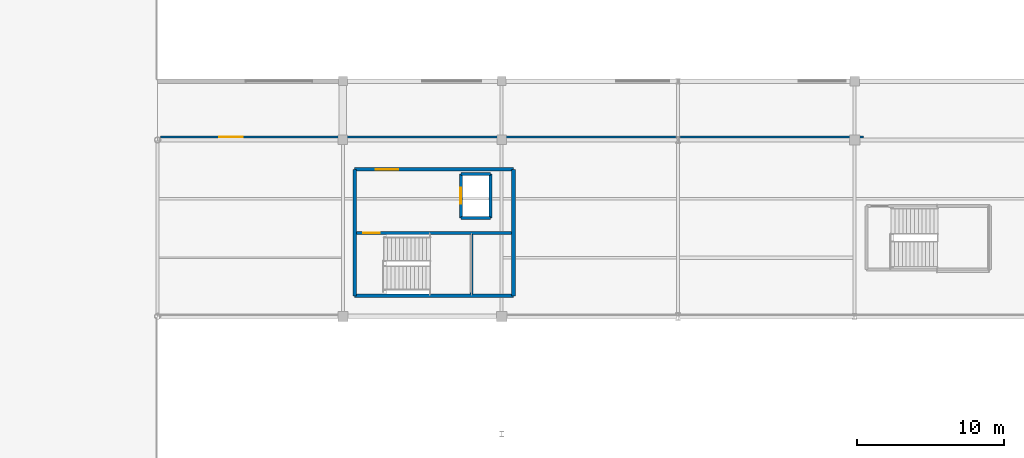
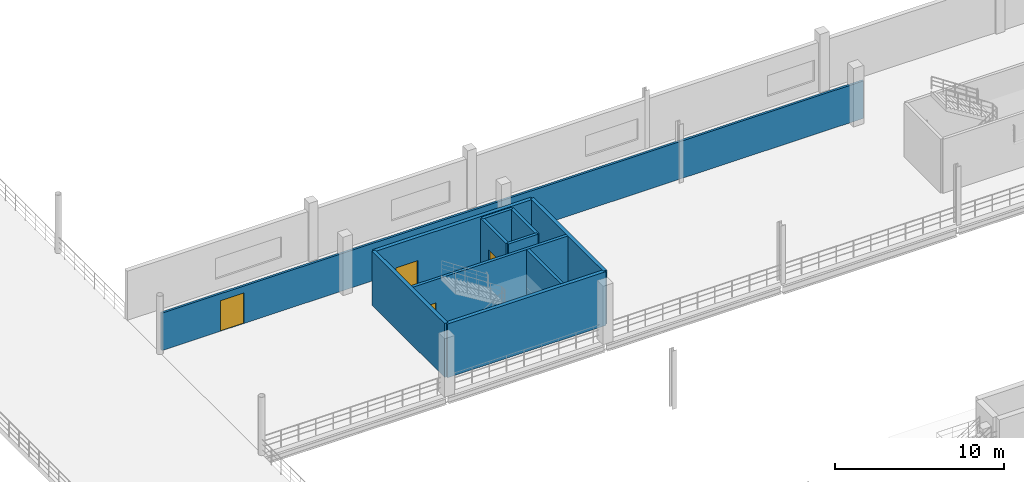
# One storey, part 65 of 89: 11 walls, 4 doors, 4 openings.
"""IFC4 building model written with IfcOpenShell, lengths in metres."""

from ifc_helpers import new_model, si_unit, direction, frame, frame_2d, origin, place, context, subcontext, project, spatial, rectangle, extrude, material, layer, layer_set, type_object, element, fill, save


model = new_model("IFC4")

# Units and contexts
model_context = context("Model", 3, precision=1e-05, world=origin(), true_north=direction((0.0, 1.0)))
body_context = subcontext(model_context, "Body", "Model", "MODEL_VIEW")
ifc_project = project(units=[si_unit("LENGTHUNIT", "METRE"), si_unit("AREAUNIT", "SQUARE_METRE"), si_unit("VOLUMEUNIT", "CUBIC_METRE"), si_unit("PLANEANGLEUNIT", "RADIAN"), si_unit("MASSUNIT", "GRAM", prefix="KILO"), si_unit("THERMODYNAMICTEMPERATUREUNIT", "KELVIN"), si_unit("POWERUNIT", "WATT")], contexts=[model_context])

# Site, building, storey
site_placement = place(None, origin())
site = spatial("IfcSite", under=ifc_project, at=site_placement, CompositionType="ELEMENT")
building_placement = place(site_placement, origin())
building = spatial("IfcBuilding", under=site, at=building_placement, Name="Solmara Park Aquatics Centre", CompositionType="ELEMENT")
storey_placement = place(building_placement, frame((0.0, 0.0, 5.39990234375)))
storey = spatial("IfcBuildingStorey", under=building, at=storey_placement, Name="L01", CompositionType="ELEMENT", Elevation=5.39990234375)

# Wall
ifc_material_1 = material(Name="Concrete C40/50", Category="concrete")
ifc_layer_1 = layer(ifc_material_1, 0.25, Name="Concrete C40/50")
ifc_layer_set_1 = layer_set([ifc_layer_1], Name="Concrete C40/50")
wall_type_1 = type_object("IfcWallType", Name="ARC-WL-CORE250", PredefinedType="SHEAR", material=ifc_layer_set_1)
wall_1_placement = place(storey_placement, frame((110.0, 38.0, 0.0), z_axis=(0.0, 0.0, 1.0), x_axis=(1.0, 0.0, 0.0)))
element("IfcWall", 1, at=wall_1_placement, inside=storey, type_object=wall_type_1, Name="CORE-3 Core Wall S L01", PredefinedType="SHEAR", context=body_context, shape_type="SweptSolid", body=[
    extrude(rectangle(XDim=10.800048828125, YDim=0.25, at=frame_2d((5.39990234375, 0.0))), origin(), (0.0, 0.0, 1.0), 3.880126953125),
])

# Wall, opening, door
wall_2_placement = place(storey_placement, frame((110.0, 46.60009765625, 0.0), z_axis=(0.0, 0.0, 1.0), x_axis=(1.0, 0.0, 0.0)))
wall_2 = element("IfcWall", 2, at=wall_2_placement, inside=storey, type_object=wall_type_1, Name="CORE-3 Core Wall N L01", PredefinedType="SHEAR", context=body_context, shape_type="SweptSolid", body=[
    extrude(rectangle(XDim=10.800048828125, YDim=0.25, at=frame_2d((5.39990234375, 0.0))), origin(), (0.0, 0.0, 1.0), 3.880126953125),
])
opening_1_placement = place(wall_2_placement, frame((1.449951171875, 0.0, 0.0)))
opening_1 = element("IfcOpeningElement", 3, at=opening_1_placement, cuts=wall_2, Name="Opening D-12", PredefinedType="OPENING", context=body_context, shape_type="SweptSolid", body=[
    extrude(rectangle(XDim=1.5, YDim=2.199951171875, at=frame_2d((0.75, 1.10009765625))), frame((0.0, 0.135009765625, 0.0), z_axis=(0.0, -1.0, 0.0), x_axis=(1.0, 0.0, 0.0)), (0.0, 0.0, 1.0), 0.27001953125),
])
ifc_material_2 = material(Name="Moisture-Resistant HPL & Hardwood", Category="wood")
door_type_1 = type_object("IfcDoorType", Name="ARC-DR-FD150x220", OperationType="DOUBLE_DOOR_SINGLE_SWING", PredefinedType="DOOR", material=ifc_material_2)
door_1_placement = place(opening_1_placement, origin())
door_1 = element("IfcDoor", 4, at=door_1_placement, inside=storey, type_object=door_type_1, Name="CORE-3 Lobby Entry Fire Door L01", OperationType="DOUBLE_DOOR_SINGLE_SWING", OverallHeight=2.199951171875, OverallWidth=1.5, PredefinedType="DOOR", context=body_context, shape_type="SweptSolid", body=[
    extrude(rectangle(XDim=1.5, YDim=2.199951171875, at=frame_2d((0.75, 1.10009765625))), frame((0.0, 0.02490234375, 0.0), z_axis=(0.0, -1.0, 0.0), x_axis=(1.0, 0.0, 0.0)), (0.0, 0.0, 1.0), 0.050048828125),
])
fill(opening_1, door_1)

# Walls
for number, where, z_axis, x_axis, name in (
    (5, (110.0, 38.0, 0.0), (0.0, 0.0, 1.0), (0.0, 1.0, 0.0), "CORE-3 Core Wall W L01"),
    (6, (120.800048828125, 38.0, 0.0), (0.0, 0.0, 1.0), (0.0, 1.0, 0.0), "CORE-3 Core Wall E L01"),
):
    element("IfcWall", number, at=place(storey_placement, frame(where, z_axis=z_axis, x_axis=x_axis)), inside=storey, type_object=wall_type_1, Name=name, PredefinedType="SHEAR", context=body_context, shape_type="SweptSolid", body=[
        extrude(rectangle(XDim=8.60009765625, YDim=0.25, at=frame_2d((4.300048828125, 0.0))), origin(), (0.0, 0.0, 1.0), 3.880126953125),
    ])

# Wall, opening, door
ifc_material_3 = material(Name="Concrete C25/30 Autoclaved Aerated Fire Blockwork", Category="masonry")
ifc_layer_2 = layer(ifc_material_3, 0.199951171875, Name="Concrete C25/30 Autoclaved Aerated Fire Blockwork")
ifc_layer_set_2 = layer_set([ifc_layer_2], Name="Concrete C25/30 Autoclaved Aerated Fire Blockwork")
wall_type_2 = type_object("IfcWallType", Name="ARC-WL-FIRE200", PredefinedType="SOLIDWALL", material=ifc_layer_set_2)
wall_3_placement = place(storey_placement, frame((117.219970703125, 43.300048828125, 0.0), z_axis=(0.0, 0.0, 1.0), x_axis=(0.0, 1.0, 0.0)))
wall_3 = element("IfcWall", 7, at=wall_3_placement, inside=storey, type_object=wall_type_2, Name="CORE-3 Lift Shaft Front Wall L01", PredefinedType="SOLIDWALL", context=body_context, shape_type="SweptSolid", body=[
    extrude(rectangle(XDim=3.0, YDim=0.199951171875, at=frame_2d((1.5, 0.0))), origin(), (0.0, 0.0, 1.0), 3.880126953125),
])
opening_2_placement = place(wall_3_placement, frame((0.949951171875, 0.0, 0.0)))
opening_2 = element("IfcOpeningElement", 8, at=opening_2_placement, cuts=wall_3, Name="Opening D-09", PredefinedType="OPENING", context=body_context, shape_type="SweptSolid", body=[
    extrude(rectangle(XDim=1.10009765625, YDim=2.199951171875, at=frame_2d((0.550048828125, 1.10009765625))), frame((0.0, 0.10986328125, 0.0), z_axis=(0.0, -1.0, 0.0), x_axis=(1.0, 0.0, 0.0)), (0.0, 0.0, 1.0), 0.219970703125),
])
ifc_material_4 = material(Name="Stainless Steel", Category="steel")
door_type_2 = type_object("IfcDoorType", Name="ARC-DR-LD110x220", OperationType="DOUBLE_DOOR_SLIDING", PredefinedType="DOOR", material=ifc_material_4)
door_2_placement = place(opening_2_placement, origin())
door_2 = element("IfcDoor", 9, at=door_2_placement, inside=storey, type_object=door_type_2, Name="LF-05 Lift Landing Door L01", OperationType="DOUBLE_DOOR_SLIDING", OverallHeight=2.199951171875, OverallWidth=1.10009765625, PredefinedType="DOOR", context=body_context, shape_type="SweptSolid", body=[
    extrude(rectangle(XDim=1.10009765625, YDim=2.199951171875, at=frame_2d((0.550048828125, 1.10009765625))), frame((0.0, 0.02490234375, 0.0), z_axis=(0.0, -1.0, 0.0), x_axis=(1.0, 0.0, 0.0)), (0.0, 0.0, 1.0), 0.050048828125),
])
fill(opening_2, door_2)

# Walls
wall_4_placement = place(storey_placement, frame((119.25, 43.300048828125, 0.0), z_axis=(0.0, 0.0, 1.0), x_axis=(0.0, 1.0, 0.0)))
element("IfcWall", 10, at=wall_4_placement, inside=storey, type_object=wall_type_2, Name="LF-05 Lift Shaft East Wall L01", PredefinedType="SOLIDWALL", context=body_context, shape_type="SweptSolid", body=[
    extrude(rectangle(XDim=3.0, YDim=0.199951171875, at=frame_2d((1.5, 0.0))), origin(), (0.0, 0.0, 1.0), 3.880126953125),
])
for number, where, z_axis, x_axis, name in (
    (11, (117.219970703125, 43.300048828125, 0.0), (0.0, 0.0, 1.0), (1.0, 0.0, 0.0), "LF-05 Lift Shaft South Wall L01"),
    (12, (117.219970703125, 46.300048828125, 0.0), (0.0, 0.0, 1.0), (1.0, 0.0, 0.0), "LF-05 Lift Shaft North Wall L01"),
):
    element("IfcWall", number, at=place(storey_placement, frame(where, z_axis=z_axis, x_axis=x_axis)), inside=storey, type_object=wall_type_2, Name=name, PredefinedType="SOLIDWALL", context=body_context, shape_type="SweptSolid", body=[
        extrude(rectangle(XDim=2.030029296875, YDim=0.199951171875, at=frame_2d((1.01513671875, 0.0))), origin(), (0.0, 0.0, 1.0), 3.880126953125),
    ])

# Wall, opening, door
ifc_material_5 = material(Name="Cement-Rendered Masonry Partition", Category="masonry")
ifc_layer_3 = layer(ifc_material_5, 0.14990234375, Name="Cement-Rendered Masonry Partition")
ifc_layer_set_3 = layer_set([ifc_layer_3], Name="Cement-Rendered Masonry Partition")
wall_type_3 = type_object("IfcWallType", Name="ARC-WL-MAS150", PredefinedType="PARTITIONING", material=ifc_layer_set_3)
wall_5_placement = place(storey_placement, frame((96.800048828125, 48.800048828125, 0.0), z_axis=(0.0, 0.0, 1.0), x_axis=(1.0, 0.0, 0.0)))
wall_5 = element("IfcWall", 13, at=wall_5_placement, inside=storey, type_object=wall_type_3, Name="Interior Partition IW-L01-0087 (L01-DIV-01)", PredefinedType="PARTITIONING", context=body_context, shape_type="SweptSolid", body=[
    extrude(rectangle(XDim=47.800048828125, YDim=0.14990234375, at=frame_2d((23.89990234375, 0.0))), origin(), (0.0, 0.0, 1.0), 2.7001953125),
])
opening_3_placement = place(wall_5_placement, frame((4.0, 0.0, 0.0)))
opening_3 = element("IfcOpeningElement", 14, at=opening_3_placement, cuts=wall_5, Name="Opening D-19", PredefinedType="OPENING", context=body_context, shape_type="SweptSolid", body=[
    extrude(rectangle(XDim=1.60009765625, YDim=2.199951171875, at=frame_2d((0.800048828125, 1.10009765625))), frame((0.0, 0.0849609375, 0.0), z_axis=(0.0, -1.0, 0.0), x_axis=(1.0, 0.0, 0.0)), (0.0, 0.0, 1.0), 0.169921875),
])
door_type_3 = type_object("IfcDoorType", Name="ARC-DR-DBL160x220", OperationType="DOUBLE_DOOR_SINGLE_SWING", PredefinedType="DOOR", material=ifc_material_2)
door_3_placement = place(opening_3_placement, origin())
door_3 = element("IfcDoor", 15, at=door_3_placement, inside=storey, type_object=door_type_3, Name="Diving Trampoline, Harness and Dry-Land Training Hall Door", OperationType="DOUBLE_DOOR_SINGLE_SWING", OverallHeight=2.199951171875, OverallWidth=1.60009765625, PredefinedType="DOOR", context=body_context, shape_type="SweptSolid", body=[
    extrude(rectangle(XDim=1.60009765625, YDim=2.199951171875, at=frame_2d((0.800048828125, 1.10009765625))), frame((0.0, 0.02490234375, 0.0), z_axis=(0.0, -1.0, 0.0), x_axis=(1.0, 0.0, 0.0)), (0.0, 0.0, 1.0), 0.050048828125),
])
fill(opening_3, door_3)

ifc_material_6 = material(Name="Concrete C35/45", Category="concrete")
ifc_layer_4 = layer(ifc_material_6, 0.199951171875, Name="Concrete C35/45")
ifc_layer_set_4 = layer_set([ifc_layer_4], Name="Concrete C35/45")
wall_type_4 = type_object("IfcWallType", Name="STR-WL-STAIR200", PredefinedType="SHEAR", material=ifc_layer_set_4)
wall_6_placement = place(storey_placement, frame((110.1201171875, 42.27490234375, 0.0), z_axis=(0.0, 0.0, 1.0), x_axis=(1.0, 0.0, 0.0)))
wall_6 = element("IfcWall", 16, at=wall_6_placement, inside=storey, type_object=wall_type_4, Name="CORE-3 Stairwell Compartment Wall L01", PredefinedType="SHEAR", context=body_context, shape_type="SweptSolid", body=[
    extrude(rectangle(XDim=10.559814453125, YDim=0.199951171875, at=frame_2d((5.27978515625, 0.0))), origin(), (0.0, 0.0, 1.0), 3.880126953125),
])
opening_4_placement = place(wall_6_placement, frame((0.47998046875, 0.0, 0.0)))
opening_4 = element("IfcOpeningElement", 17, at=opening_4_placement, cuts=wall_6, Name="Opening D-11", PredefinedType="OPENING", context=body_context, shape_type="SweptSolid", body=[
    extrude(rectangle(XDim=1.10009765625, YDim=2.199951171875, at=frame_2d((0.550048828125, 1.10009765625))), frame((0.0, 0.10986328125, 0.0), z_axis=(0.0, -1.0, 0.0), x_axis=(1.0, 0.0, 0.0)), (0.0, 0.0, 1.0), 0.219970703125),
])
door_type_4 = type_object("IfcDoorType", Name="ARC-DR-FD110x220", OperationType="NOTDEFINED", PredefinedType="DOOR", material=ifc_material_2)
door_4_placement = place(opening_4_placement, origin())
door_4 = element("IfcDoor", 18, at=door_4_placement, inside=storey, type_object=door_type_4, Name="ST-03 Fire Door L01", OperationType="SINGLE_SWING_LEFT", OverallHeight=2.199951171875, OverallWidth=1.10009765625, PredefinedType="DOOR", context=body_context, shape_type="SweptSolid", body=[
    extrude(rectangle(XDim=1.10009765625, YDim=2.199951171875, at=frame_2d((0.550048828125, 1.10009765625))), frame((0.0, 0.02490234375, 0.0), z_axis=(0.0, -1.0, 0.0), x_axis=(1.0, 0.0, 0.0)), (0.0, 0.0, 1.0), 0.050048828125),
])
fill(opening_4, door_4)

# Wall
wall_7_placement = place(storey_placement, frame((117.9599609375, 38.1201171875, 0.0), z_axis=(0.0, 0.0, 1.0), x_axis=(0.0, 1.0, 0.0)))
element("IfcWall", 19, at=wall_7_placement, inside=storey, type_object=wall_type_4, Name="CORE-3 Stairwell East End Wall L01", PredefinedType="SHEAR", context=body_context, shape_type="SweptSolid", body=[
    extrude(rectangle(XDim=4.054931640625, YDim=0.199951171875, at=frame_2d((2.02734375, 0.0))), origin(), (0.0, 0.0, 1.0), 3.880126953125),
])

save(model, "model.ifc")
